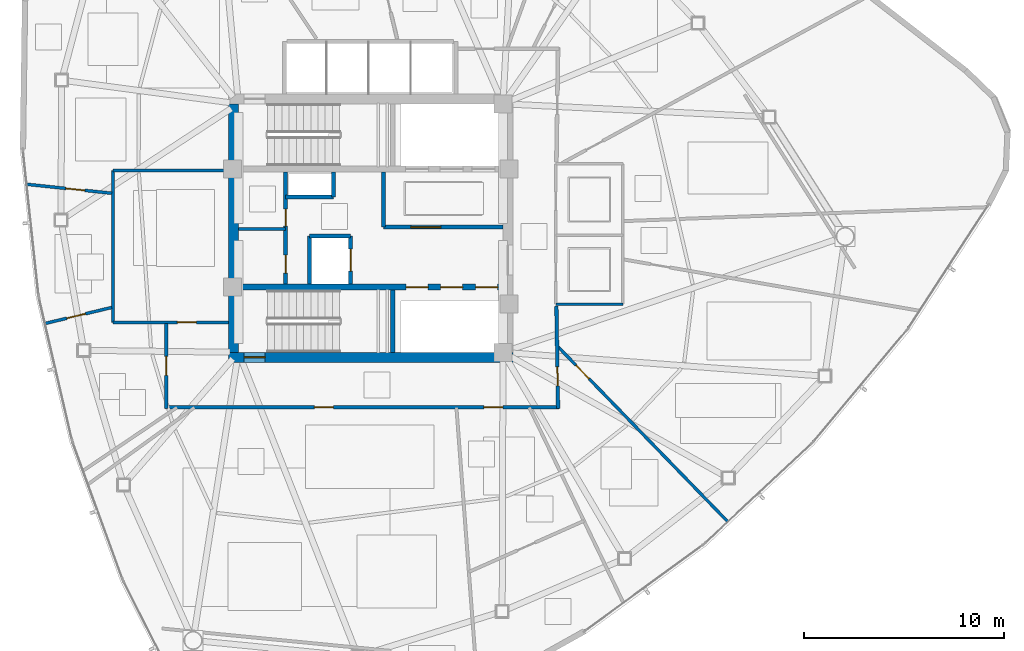
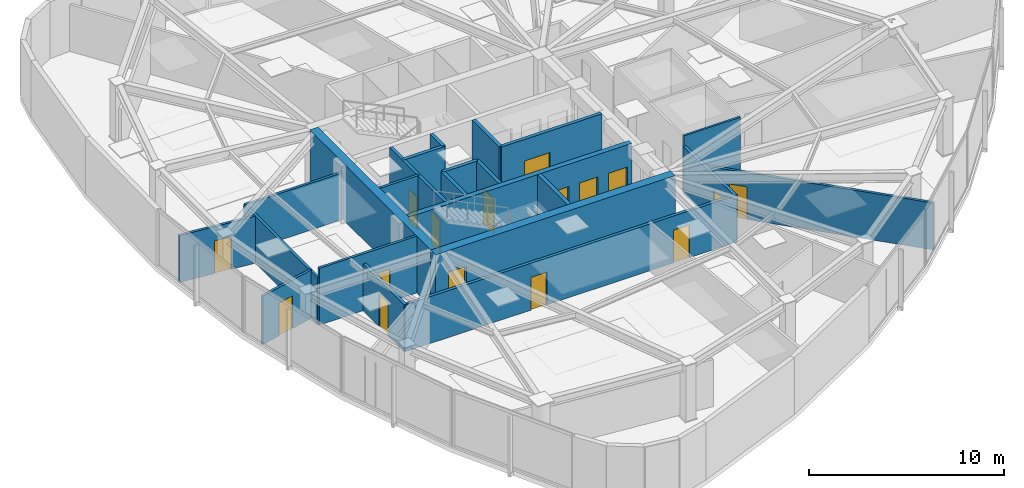
# One storey, part 11 of 17: 23 walls, 16 doors, 16 openings.
"""IFC4 building model written with IfcOpenShell, lengths in metres."""

import ifcopenshell
import ifcopenshell.guid

model = None  # the IFC model being written
_history = None  # IfcOwnerHistory: only IFC2X3 demands one
_inside = {}  # id of a spatial element -> (the spatial element, [elements in it])
_under = {}  # id of a project, library or spatial element -> (it, [spatial elements below it])
_declared = {}  # id of a project -> (the project, [libraries it declares])
_typed = {}  # id of a type object -> (the type object, [elements of that type])
_made_of = {}  # id of a material, layer set ... -> (it, [elements and type objects made of it])


def new_model(schema):
    """Start an empty IFC model of exactly this schema.

    Asked for "IFC4X3", IfcOpenShell would pick the latest addendum, in which some entities
    have other attributes; the version numbers below select the first issue.
    IFC2X3 requires an IfcOwnerHistory on every rooted entity: one is made here for all.
    """
    global model, _history
    if schema == "IFC4X3":
        model = ifcopenshell.file(schema_version=(4, 3, 0, 0))
    else:
        model = ifcopenshell.file(schema=schema)
    _inside.clear()
    _under.clear()
    _declared.clear()
    _typed.clear()
    _made_of.clear()
    _history = None
    if model.schema == "IFC2X3":
        org = make("IfcOrganization", Name="unknown")
        user = make(
            "IfcPersonAndOrganization",
            ThePerson=make("IfcPerson", FamilyName="unknown"),
            TheOrganization=org,
        )
        app = make(
            "IfcApplication",
            ApplicationDeveloper=org,
            Version="unknown",
            ApplicationFullName="unknown",
            ApplicationIdentifier="unknown",
        )
        _history = make(
            "IfcOwnerHistory",
            OwningUser=user,
            OwningApplication=app,
            ChangeAction="ADDED",
            CreationDate=0,
        )
    return model


def make(cls, **values):
    """One entity of the class cls with the attributes given. An attribute that is None is left unset."""
    return model.create_entity(
        cls, **{name: value for name, value in values.items() if value is not None}
    )


def rooted(cls, **values):
    """An entity with a GlobalId (a new one), such as an element, a storey or a relation."""
    return make(cls, GlobalId=ifcopenshell.guid.new(), OwnerHistory=_history, **values)


def si_unit(unit_type, name, prefix=None):
    """IfcSIUnit, for example si_unit("LENGTHUNIT", "METRE", prefix="MILLI")."""
    return make("IfcSIUnit", UnitType=unit_type, Prefix=prefix, Name=name)


def assignment(units):
    """IfcUnitAssignment: the units of a project."""
    return None if units is None else make("IfcUnitAssignment", Units=units)


def point(xyz):
    """IfcCartesianPoint."""
    return None if xyz is None else make("IfcCartesianPoint", Coordinates=xyz)


def direction(xyz):
    """IfcDirection."""
    return None if xyz is None else make("IfcDirection", DirectionRatios=xyz)


def frame(location, z_axis=None, x_axis=None):
    """IfcAxis2Placement3D, a coordinate frame: its origin and axes. An axis left out is left unset."""
    return make(
        "IfcAxis2Placement3D",
        Location=point(location),
        Axis=direction(z_axis),
        RefDirection=direction(x_axis),
    )


def frame_2d(location, x_axis=None):
    """IfcAxis2Placement2D, a coordinate frame in the plane: its origin and x axis."""
    return make(
        "IfcAxis2Placement2D", Location=point(location), RefDirection=direction(x_axis)
    )


def origin():
    """The frame at (0, 0, 0) with its axes left unset."""
    return frame((0.0, 0.0, 0.0))


def place(relative_to, where):
    """IfcLocalPlacement: puts the frame where relative to a parent placement (None: the world)."""
    return make(
        "IfcLocalPlacement", PlacementRelTo=relative_to, RelativePlacement=where
    )


def context(
    kind, dimensions, precision=None, world=None, true_north=None, identifier=None
):
    """IfcGeometricRepresentationContext, for example the 3D "Model" context."""
    return make(
        "IfcGeometricRepresentationContext",
        ContextIdentifier=identifier,
        ContextType=kind,
        CoordinateSpaceDimension=dimensions,
        Precision=precision,
        WorldCoordinateSystem=world,
        TrueNorth=true_north,
    )


def subcontext(parent, identifier, kind, view, scale=None):
    """IfcGeometricRepresentationSubContext, for example "Body" below "Model"."""
    return make(
        "IfcGeometricRepresentationSubContext",
        ContextIdentifier=identifier,
        ContextType=kind,
        ParentContext=parent,
        TargetScale=scale,
        TargetView=view,
    )


def project(units=None, contexts=None):
    """IfcProject with its units and contexts."""
    return rooted(
        "IfcProject",
        Name="project",
        RepresentationContexts=contexts,
        UnitsInContext=assignment(units),
    )


def spatial(cls, under=None, at=None, **own):
    """A site, building, storey or space (cls), placed at a placement, below another one or the project."""
    s = rooted(cls, ObjectPlacement=at, **own)
    if under is not None:
        _under.setdefault(under.id(), (under, []))[1].append(s)
    return s


def profile(cls, at=None, kind="AREA", **sizes):
    """A parametric profile (cls). Its sizes go by their IFC names, for example OverallWidth=200.0."""
    return make(cls, ProfileType=kind, Position=at, **sizes)


def rectangle(**sizes):
    """IfcRectangleProfileDef."""
    return profile("IfcRectangleProfileDef", **sizes)


def extrude(swept, where, along, depth):
    """IfcExtrudedAreaSolid: the profile swept, set in the frame where, extruded along a direction by depth."""
    return make(
        "IfcExtrudedAreaSolid",
        SweptArea=swept,
        Position=where,
        ExtrudedDirection=direction(along),
        Depth=depth,
    )


def shape(context_of_items, identifier, shape_type, items):
    """IfcShapeRepresentation: the items that make up one representation, for example the "Body"."""
    return make(
        "IfcShapeRepresentation",
        ContextOfItems=context_of_items,
        RepresentationIdentifier=identifier,
        RepresentationType=shape_type,
        Items=items,
    )


def material(Name=None, Category=None):
    """IfcMaterial."""
    return make("IfcMaterial", Name=Name, Category=Category)


def layer(
    of_material, thickness, ventilated=None, Name=None, Category=None, Priority=None
):
    """IfcMaterialLayer: one layer of a wall or slab, of a material (None: an air gap)."""
    return make(
        "IfcMaterialLayer",
        Material=of_material,
        LayerThickness=thickness,
        IsVentilated=ventilated,
        Name=Name,
        Category=Category,
        Priority=Priority,
    )


def layer_set(layers, Name=None):
    """IfcMaterialLayerSet."""
    return make("IfcMaterialLayerSet", MaterialLayers=layers, LayerSetName=Name)


def made_of(thing, what):
    """Note that an element or type object is made of a material, layer set ...; save() writes the relation."""
    if what is not None:
        _made_of.setdefault(what.id(), (what, []))[1].append(thing)
    return thing


def type_object(cls, material=None, **own):
    """A type object (cls), such as IfcWallType, which elements share."""
    return made_of(rooted(cls, **own), material)


def element(
    cls,
    number,
    at=None,
    inside=None,
    cuts=None,
    type_object=None,
    material=None,
    context=None,
    identifier="Body",
    shape_type=None,
    held_by="IfcProductDefinitionShape",
    body=None,
    shapes=None,
    **own,
):
    """One element of the class cls, such as IfcWall. Its Tag is "e" and its number.

    at: its placement. inside: the storey or other place that contains it. cuts: it is an
    opening in that element (IfcRelVoidsElement). A single representation is given by context,
    identifier, shape_type and body (its items); several are given by shapes. held_by: the class
    of the entity that holds the representations. save() writes the other relations.
    """
    e = rooted(cls, Tag="e%d" % number, ObjectPlacement=at, **own)
    if body is not None:
        shapes = [shape(context, identifier, shape_type, body)]
    if shapes is not None:
        e.Representation = make(held_by, Representations=shapes)
    if inside is not None:
        _inside.setdefault(inside.id(), (inside, []))[1].append(e)
    if cuts is not None:
        rooted(
            "IfcRelVoidsElement", RelatingBuildingElement=cuts, RelatedOpeningElement=e
        )
    if type_object is not None:
        _typed.setdefault(type_object.id(), (type_object, []))[1].append(e)
    return made_of(e, material)


def fill(opening, filler):
    """IfcRelFillsElement: the door or window that sits in an opening."""
    return rooted(
        "IfcRelFillsElement",
        RelatingOpeningElement=opening,
        RelatedBuildingElement=filler,
    )


def aggregate(whole, parts):
    """IfcRelAggregates: a whole, such as a stair, and the parts it consists of."""
    return rooted("IfcRelAggregates", RelatingObject=whole, RelatedObjects=parts)


def save(model, path):
    """Write the relations noted so far, then the file.

    IfcRelAggregates (storeys below a building ...), IfcRelContainedInSpatialStructure (elements
    in a storey), IfcRelDefinesByType, IfcRelAssociatesMaterial and IfcRelDeclares: one each for
    every whole, place, type object, material and project.
    """
    for whole, parts in _under.values():
        aggregate(whole, parts)
    for where, things in _inside.values():
        rooted(
            "IfcRelContainedInSpatialStructure",
            RelatedElements=things,
            RelatingStructure=where,
        )
    for kind, things in _typed.values():
        rooted("IfcRelDefinesByType", RelatedObjects=things, RelatingType=kind)
    for what, things in _made_of.values():
        rooted("IfcRelAssociatesMaterial", RelatedObjects=things, RelatingMaterial=what)
    for by, libraries in _declared.values():
        rooted("IfcRelDeclares", RelatingContext=by, RelatedDefinitions=libraries)
    model.write(path)


model = new_model("IFC4")

# Units and contexts
model_context = context("Model", 3, precision=1e-05, world=origin(), true_north=direction((0.0, 1.0)))
body_context = subcontext(model_context, "Body", "Model", "MODEL_VIEW")
ifc_project = project(units=[si_unit("LENGTHUNIT", "METRE"), si_unit("AREAUNIT", "SQUARE_METRE"), si_unit("VOLUMEUNIT", "CUBIC_METRE"), si_unit("PLANEANGLEUNIT", "RADIAN"), si_unit("MASSUNIT", "GRAM", prefix="KILO")], contexts=[model_context])

# Site, building, storey
site_placement = place(None, origin())
site = spatial("IfcSite", under=ifc_project, at=site_placement, CompositionType="ELEMENT")
building_placement = place(site_placement, origin())
building = spatial("IfcBuilding", under=site, at=building_placement, Name="Tavelor Broadcast Tower", CompositionType="ELEMENT")
storey_placement = place(building_placement, frame((0.0, 0.0, 200.300048828125)))
storey = spatial("IfcBuildingStorey", under=building, at=storey_placement, Name="L48", CompositionType="ELEMENT", Elevation=200.300048828125)

# Wall, opening, door
ifc_material_1 = material(Name="Concrete C50/60", Category="concrete")
ifc_layer_1 = layer(ifc_material_1, 0.5)
ifc_layer_set_1 = layer_set([ifc_layer_1], Name="Concrete C50/60")
wall_type_1 = type_object("IfcWallType", Name="Core Shear Wall 500 mm", PredefinedType="SHEAR", material=ifc_layer_set_1)
wall_1_placement = place(storey_placement, frame((42.89990234375, 38.550048828125, 0.0), z_axis=(0.0, 0.0, 1.0), x_axis=(1.0, 0.0, 0.0)))
wall_1 = element("IfcWall", 1, at=wall_1_placement, inside=storey, type_object=wall_type_1, Name="L48 Central Core Shear Wall S", PredefinedType="SHEAR", context=body_context, shape_type="SweptSolid", body=[
    extrude(rectangle(XDim=14.2001953125, YDim=0.5, at=frame_2d((7.10009765625, 0.0))), origin(), (0.0, 0.0, 1.0), 3.550048828125),
])
opening_1_placement = place(wall_1_placement, frame((0.780029296875, 0.0, 0.0)))
opening_1 = element("IfcOpeningElement", 2, at=opening_1_placement, cuts=wall_1, Name="Opening DR11", PredefinedType="OPENING", context=body_context, shape_type="SweptSolid", body=[
    extrude(rectangle(XDim=1.050048828125, YDim=2.199951171875, at=frame_2d((0.52490234375, 1.10009765625))), frame((0.0, 0.260009765625, 0.0), z_axis=(0.0, -1.0, 0.0), x_axis=(1.0, 0.0, 0.0)), (0.0, 0.0, 1.0), 0.52001953125),
])
ifc_material_2 = material(Name="Steel S355", Category="steel")
door_type_1 = type_object("IfcDoorType", Name="Stair Core Fire Escape Door 1050x2200", OperationType="NOTDEFINED", PredefinedType="DOOR", material=ifc_material_2)
door_1_placement = place(opening_1_placement, origin())
door_1 = element("IfcDoor", 3, at=door_1_placement, inside=storey, type_object=door_type_1, Name="L48 Stair ST2 Protected Exit Door", OperationType="SINGLE_SWING_RIGHT", OverallHeight=2.199951171875, OverallWidth=1.050048828125, PredefinedType="DOOR", context=body_context, shape_type="SweptSolid", body=[
    extrude(rectangle(XDim=1.050048828125, YDim=2.199951171875, at=frame_2d((0.52490234375, 1.10009765625))), frame((0.0, 0.02490234375, 0.0), z_axis=(0.0, -1.0, 0.0), x_axis=(1.0, 0.0, 0.0)), (0.0, 0.0, 1.0), 0.050048828125),
])
fill(opening_1, door_1)

# Wall
wall_2_placement = place(storey_placement, frame((43.14990234375, 38.800048828125, 0.0), z_axis=(0.0, 0.0, 1.0), x_axis=(0.0, 1.0, 0.0)))
element("IfcWall", 4, at=wall_2_placement, inside=storey, type_object=wall_type_1, Name="L48 Central Core Shear Wall W", PredefinedType="SHEAR", context=body_context, shape_type="SweptSolid", body=[
    extrude(rectangle(XDim=12.39990234375, YDim=0.5, at=frame_2d((6.199951171875, 0.0))), origin(), (0.0, 0.0, 1.0), 3.550048828125),
])

# Wall, openings, doors
ifc_layer_2 = layer(ifc_material_1, 0.300048828125)
ifc_layer_set_2 = layer_set([ifc_layer_2], Name="Concrete C50/60")
wall_type_2 = type_object("IfcWallType", Name="Core Spine Shear Wall 300 mm C50", PredefinedType="SHEAR", material=ifc_layer_set_2)
wall_3_placement = place(storey_placement, frame((43.39990234375, 42.050048828125, 0.0), z_axis=(0.0, 0.0, 1.0), x_axis=(1.0, 0.0, 0.0)))
wall_3 = element("IfcWall", 5, at=wall_3_placement, inside=storey, type_object=wall_type_2, Name="L48 Central Core Shear Wall SP2", PredefinedType="SHEAR", context=body_context, shape_type="SweptSolid", body=[
    extrude(rectangle(XDim=13.2001953125, YDim=0.300048828125, at=frame_2d((6.60009765625, 0.0))), origin(), (0.0, 0.0, 1.0), 3.550048828125),
])
opening_2_placement = place(wall_3_placement, frame((8.3701171875, 0.0, 0.0)))
opening_2 = element("IfcOpeningElement", 6, at=opening_2_placement, cuts=wall_3, Name="Opening LD01", PredefinedType="OPENING", context=body_context, shape_type="SweptSolid", body=[
    extrude(rectangle(XDim=1.10009765625, YDim=2.14990234375, at=frame_2d((0.550048828125, 1.074951171875))), frame((0.0, 0.16015625, 0.0), z_axis=(0.0, -1.0, 0.0), x_axis=(1.0, 0.0, 0.0)), (0.0, 0.0, 1.0), 0.320068359375),
])
opening_3_placement = place(wall_3_placement, frame((10.090087890625, 0.0, 0.0)))
opening_3 = element("IfcOpeningElement", 7, at=opening_3_placement, cuts=wall_3, Name="Opening LD01", PredefinedType="OPENING", context=body_context, shape_type="SweptSolid", body=[
    extrude(rectangle(XDim=1.10009765625, YDim=2.14990234375, at=frame_2d((0.550048828125, 1.074951171875))), frame((0.0, 0.16015625, 0.0), z_axis=(0.0, -1.0, 0.0), x_axis=(1.0, 0.0, 0.0)), (0.0, 0.0, 1.0), 0.320068359375),
])
opening_4_placement = place(wall_3_placement, frame((11.830078125, 0.0, 0.0)))
opening_4 = element("IfcOpeningElement", 8, at=opening_4_placement, cuts=wall_3, Name="Opening LD01", PredefinedType="OPENING", context=body_context, shape_type="SweptSolid", body=[
    extrude(rectangle(XDim=1.10009765625, YDim=2.14990234375, at=frame_2d((0.550048828125, 1.074951171875))), frame((0.0, 0.16015625, 0.0), z_axis=(0.0, -1.0, 0.0), x_axis=(1.0, 0.0, 0.0)), (0.0, 0.0, 1.0), 0.320068359375),
])
ifc_material_3 = material(Name="Brushed Stainless Steel", Category="steel")
door_type_2 = type_object("IfcDoorType", Name="Passenger Lift Sliding Landing Door 1100x2150", OperationType="NOTDEFINED", PredefinedType="DOOR", material=ifc_material_3)
door_2_placement = place(opening_2_placement, origin())
door_2 = element("IfcDoor", 9, at=door_2_placement, inside=storey, type_object=door_type_2, Name="L48 Lift PLM1 Sliding Landing Door", OperationType="SLIDING_TO_LEFT", OverallHeight=2.14990234375, OverallWidth=1.10009765625, PredefinedType="DOOR", context=body_context, shape_type="SweptSolid", body=[
    extrude(rectangle(XDim=1.10009765625, YDim=2.14990234375, at=frame_2d((0.550048828125, 1.074951171875))), frame((0.0, 0.02490234375, 0.0), z_axis=(0.0, -1.0, 0.0), x_axis=(1.0, 0.0, 0.0)), (0.0, 0.0, 1.0), 0.050048828125),
])
fill(opening_2, door_2)
door_3_placement = place(opening_3_placement, origin())
door_3 = element("IfcDoor", 10, at=door_3_placement, inside=storey, type_object=door_type_2, Name="L48 Lift PLM2 Sliding Landing Door", OperationType="SLIDING_TO_LEFT", OverallHeight=2.14990234375, OverallWidth=1.10009765625, PredefinedType="DOOR", context=body_context, shape_type="SweptSolid", body=[
    extrude(rectangle(XDim=1.10009765625, YDim=2.14990234375, at=frame_2d((0.550048828125, 1.074951171875))), frame((0.0, 0.02490234375, 0.0), z_axis=(0.0, -1.0, 0.0), x_axis=(1.0, 0.0, 0.0)), (0.0, 0.0, 1.0), 0.050048828125),
])
fill(opening_3, door_3)
door_4_placement = place(opening_4_placement, origin())
door_4 = element("IfcDoor", 11, at=door_4_placement, inside=storey, type_object=door_type_2, Name="L48 Lift PLM3 Sliding Landing Door", OperationType="SLIDING_TO_LEFT", OverallHeight=2.14990234375, OverallWidth=1.10009765625, PredefinedType="DOOR", context=body_context, shape_type="SweptSolid", body=[
    extrude(rectangle(XDim=1.10009765625, YDim=2.14990234375, at=frame_2d((0.550048828125, 1.074951171875))), frame((0.0, 0.02490234375, 0.0), z_axis=(0.0, -1.0, 0.0), x_axis=(1.0, 0.0, 0.0)), (0.0, 0.0, 1.0), 0.050048828125),
])
fill(opening_4, door_4)

ifc_material_4 = material(Name="Calcium Silicate Fire Board 180 mm", Category="gypsum")
ifc_layer_3 = layer(ifc_material_4, 0.179931640625)
ifc_layer_set_3 = layer_set([ifc_layer_3], Name="Calcium Silicate Fire Board 180 mm")
wall_type_3 = type_object("IfcWallType", Name="Fire-Rated Corridor Partition Wall 180 mm", PredefinedType="PARTITIONING", material=ifc_layer_set_3)
wall_4_placement = place(storey_placement, frame((45.75, 42.199951171875, 0.0), z_axis=(0.0, 0.0, 1.0), x_axis=(0.0, 1.0, 0.0)))
wall_4 = element("IfcWall", 12, at=wall_4_placement, inside=storey, type_object=wall_type_3, Name="L48 Core West Service East Wall", PredefinedType="PARTITIONING", context=body_context, shape_type="SweptSolid", body=[
    extrude(rectangle(XDim=5.60009765625, YDim=0.179931640625, at=frame_2d((2.800048828125, 0.0))), origin(), (0.0, 0.0, 1.0), 3.550048828125),
])
opening_5_placement = place(wall_4_placement, frame((0.550048828125, 0.0, 0.0)))
opening_5 = element("IfcOpeningElement", 13, at=opening_5_placement, cuts=wall_4, Name="Opening DR32", PredefinedType="OPENING", context=body_context, shape_type="SweptSolid", body=[
    extrude(rectangle(XDim=0.89990234375, YDim=2.050048828125, at=frame_2d((0.449951171875, 1.02490234375))), frame((0.0, 0.10009765625, 0.0), z_axis=(0.0, -1.0, 0.0), x_axis=(1.0, 0.0, 0.0)), (0.0, 0.0, 1.0), 0.199951171875),
])
opening_6_placement = place(wall_4_placement, frame((2.89990234375, 0.0, 0.0)))
opening_6 = element("IfcOpeningElement", 14, at=opening_6_placement, cuts=wall_4, Name="Opening DR36", PredefinedType="OPENING", context=body_context, shape_type="SweptSolid", body=[
    extrude(rectangle(XDim=0.85009765625, YDim=2.050048828125, at=frame_2d((0.425048828125, 1.02490234375))), frame((0.0, 0.10009765625, 0.0), z_axis=(0.0, -1.0, 0.0), x_axis=(1.0, 0.0, 0.0)), (0.0, 0.0, 1.0), 0.199951171875),
])
ifc_material_5 = material(Name="Timber Solid Core Hardwood", Category="wood")
door_type_3 = type_object("IfcDoorType", Name="Accessible Washroom Door 900x2050", OperationType="NOTDEFINED", PredefinedType="DOOR", material=ifc_material_5)
door_5_placement = place(opening_5_placement, origin())
door_5 = element("IfcDoor", 15, at=door_5_placement, inside=storey, type_object=door_type_3, Name="L48 Core Accessible WC Door", OperationType="SINGLE_SWING_LEFT", OverallHeight=2.050048828125, OverallWidth=0.89990234375, PredefinedType="DOOR", context=body_context, shape_type="SweptSolid", body=[
    extrude(rectangle(XDim=0.89990234375, YDim=2.050048828125, at=frame_2d((0.449951171875, 1.02490234375))), frame((0.0, 0.02490234375, 0.0), z_axis=(0.0, -1.0, 0.0), x_axis=(1.0, 0.0, 0.0)), (0.0, 0.0, 1.0), 0.050048828125),
])
fill(opening_5, door_5)
door_type_4 = type_object("IfcDoorType", Name="Service Room Fire Door 850x2050", OperationType="NOTDEFINED", PredefinedType="DOOR", material=ifc_material_2)
door_6_placement = place(opening_6_placement, origin())
door_6 = element("IfcDoor", 16, at=door_6_placement, inside=storey, type_object=door_type_4, Name="L48 Core Cleaner Store Door", OperationType="SINGLE_SWING_RIGHT", OverallHeight=2.050048828125, OverallWidth=0.85009765625, PredefinedType="DOOR", context=body_context, shape_type="SweptSolid", body=[
    extrude(rectangle(XDim=0.85009765625, YDim=2.050048828125, at=frame_2d((0.425048828125, 1.02490234375))), frame((0.0, 0.02490234375, 0.0), z_axis=(0.0, -1.0, 0.0), x_axis=(1.0, 0.0, 0.0)), (0.0, 0.0, 1.0), 0.050048828125),
])
fill(opening_6, door_6)

# Wall, opening, door
wall_5_placement = place(storey_placement, frame((59.265869140625, 41.10009765625, 0.0), z_axis=(0.0, 0.0, 1.0), x_axis=(0.016656377357, -0.999861272924, 0.0)))
wall_5 = element("IfcWall", 17, at=wall_5_placement, inside=storey, type_object=wall_type_3, Name="L48 Corridor Compartment Wall 03", PredefinedType="PARTITIONING", context=body_context, shape_type="SweptSolid", body=[
    extrude(rectangle(XDim=5.100830078125, YDim=0.179931640625, at=frame_2d((2.55029296875, 0.0))), origin(), (0.0, 0.0, 1.0), 2.93505859375),
])
opening_7_placement = place(wall_5_placement, frame((3.021484375, 0.0, 0.0)))
opening_7 = element("IfcOpeningElement", 18, at=opening_7_placement, cuts=wall_5, Name="Opening DR18", PredefinedType="OPENING", context=body_context, shape_type="SweptSolid", body=[
    extrude(rectangle(XDim=0.949951171875, YDim=2.050048828125, at=frame_2d((0.47509765625, 1.02490234375))), frame((0.0, 0.10009765625, 0.0), z_axis=(0.0, -1.0, 0.0), x_axis=(1.0, 0.0, 0.0)), (0.0, 0.0, 1.0), 0.199951171875),
])
door_type_5 = type_object("IfcDoorType", Name="Corridor Rated Compartment Door 950x2050", OperationType="NOTDEFINED", PredefinedType="DOOR", material=ifc_material_5)
door_7_placement = place(opening_7_placement, origin())
door_7 = element("IfcDoor", 19, at=door_7_placement, inside=storey, type_object=door_type_5, Name="L48 Media Content Workshop Door R2", OperationType="SINGLE_SWING_RIGHT", OverallHeight=2.050048828125, OverallWidth=0.949951171875, PredefinedType="DOOR", context=body_context, shape_type="SweptSolid", body=[
    extrude(rectangle(XDim=0.949951171875, YDim=2.050048828125, at=frame_2d((0.47509765625, 1.02490234375))), frame((0.0, 0.02490234375, 0.0), z_axis=(0.0, -1.0, 0.0), x_axis=(1.0, 0.0, 0.0)), (0.0, 0.0, 1.0), 0.050048828125),
])
fill(opening_7, door_7)

# Wall, openings, doors
wall_6_placement = place(storey_placement, frame((59.39990234375, 36.050048828125, 0.0), z_axis=(0.0, 0.0, 1.0), x_axis=(-1.0, 0.0, 0.0)))
wall_6 = element("IfcWall", 20, at=wall_6_placement, inside=storey, type_object=wall_type_3, Name="L48 Corridor Compartment Wall 04", PredefinedType="PARTITIONING", context=body_context, shape_type="SweptSolid", body=[
    extrude(rectangle(XDim=19.64990234375, YDim=0.179931640625, at=frame_2d((9.824951171875, 0.0))), origin(), (0.0, 0.0, 1.0), 2.93505859375),
])
opening_8_placement = place(wall_6_placement, frame((2.805419921875, 0.0, 0.0)))
opening_8 = element("IfcOpeningElement", 21, at=opening_8_placement, cuts=wall_6, Name="Opening DR18", PredefinedType="OPENING", context=body_context, shape_type="SweptSolid", body=[
    extrude(rectangle(XDim=0.949951171875, YDim=2.050048828125, at=frame_2d((0.47509765625, 1.02490234375))), frame((0.0, 0.10009765625, 0.0), z_axis=(0.0, -1.0, 0.0), x_axis=(1.0, 0.0, 0.0)), (0.0, 0.0, 1.0), 0.199951171875),
])
opening_9_placement = place(wall_6_placement, frame((11.26123046875, 0.0, 0.0)))
opening_9 = element("IfcOpeningElement", 22, at=opening_9_placement, cuts=wall_6, Name="Opening DR18", PredefinedType="OPENING", context=body_context, shape_type="SweptSolid", body=[
    extrude(rectangle(XDim=0.949951171875, YDim=2.050048828125, at=frame_2d((0.47509765625, 1.02490234375))), frame((0.0, 0.10009765625, 0.0), z_axis=(0.0, -1.0, 0.0), x_axis=(1.0, 0.0, 0.0)), (0.0, 0.0, 1.0), 0.199951171875),
])
door_8_placement = place(opening_8_placement, origin())
door_8 = element("IfcDoor", 23, at=door_8_placement, inside=storey, type_object=door_type_5, Name="L48 Satellite Control Room Door R13", OperationType="SINGLE_SWING_LEFT", OverallHeight=2.050048828125, OverallWidth=0.949951171875, PredefinedType="DOOR", context=body_context, shape_type="SweptSolid", body=[
    extrude(rectangle(XDim=0.949951171875, YDim=2.050048828125, at=frame_2d((0.47509765625, 1.02490234375))), frame((0.0, 0.02490234375, 0.0), z_axis=(0.0, -1.0, 0.0), x_axis=(1.0, 0.0, 0.0)), (0.0, 0.0, 1.0), 0.050048828125),
])
fill(opening_8, door_8)
door_9_placement = place(opening_9_placement, origin())
door_9 = element("IfcDoor", 24, at=door_9_placement, inside=storey, type_object=door_type_5, Name="L48 Quiet Listening Room Door R4", OperationType="SINGLE_SWING_RIGHT", OverallHeight=2.050048828125, OverallWidth=0.949951171875, PredefinedType="DOOR", context=body_context, shape_type="SweptSolid", body=[
    extrude(rectangle(XDim=0.949951171875, YDim=2.050048828125, at=frame_2d((0.47509765625, 1.02490234375))), frame((0.0, 0.02490234375, 0.0), z_axis=(0.0, -1.0, 0.0), x_axis=(1.0, 0.0, 0.0)), (0.0, 0.0, 1.0), 0.050048828125),
])
fill(opening_9, door_9)

# Wall, opening, door
wall_7_placement = place(storey_placement, frame((39.800048828125, 36.0, 0.0), z_axis=(0.0, 0.0, 1.0), x_axis=(0.0, 1.0, 0.0)))
wall_7 = element("IfcWall", 25, at=wall_7_placement, inside=storey, type_object=wall_type_3, Name="L48 Corridor Compartment Wall 05", PredefinedType="PARTITIONING", context=body_context, shape_type="SweptSolid", body=[
    extrude(rectangle(XDim=4.25, YDim=0.179931640625, at=frame_2d((2.125, 0.0))), origin(), (0.0, 0.0, 1.0), 2.93505859375),
])
opening_10_placement = place(wall_7_placement, frame((1.64990234375, 0.0, 0.0)))
opening_10 = element("IfcOpeningElement", 26, at=opening_10_placement, cuts=wall_7, Name="Opening DR18", PredefinedType="OPENING", context=body_context, shape_type="SweptSolid", body=[
    extrude(rectangle(XDim=0.949951171875, YDim=2.050048828125, at=frame_2d((0.47509765625, 1.02490234375))), frame((0.0, 0.10009765625, 0.0), z_axis=(0.0, -1.0, 0.0), x_axis=(1.0, 0.0, 0.0)), (0.0, 0.0, 1.0), 0.199951171875),
])
door_10_placement = place(opening_10_placement, origin())
door_10 = element("IfcDoor", 27, at=door_10_placement, inside=storey, type_object=door_type_5, Name="L48 Broadcast Craft Workshop Door R5", OperationType="SINGLE_SWING_LEFT", OverallHeight=2.050048828125, OverallWidth=0.949951171875, PredefinedType="DOOR", context=body_context, shape_type="SweptSolid", body=[
    extrude(rectangle(XDim=0.949951171875, YDim=2.050048828125, at=frame_2d((0.47509765625, 1.02490234375))), frame((0.0, 0.02490234375, 0.0), z_axis=(0.0, -1.0, 0.0), x_axis=(1.0, 0.0, 0.0)), (0.0, 0.0, 1.0), 0.050048828125),
])
fill(opening_10, door_10)

# Wall
ifc_material_6 = material(Name="Gypsum Acoustic Plasterboard 150 mm", Category="gypsum")
ifc_layer_4 = layer(ifc_material_6, 0.14990234375)
ifc_layer_set_4 = layer_set([ifc_layer_4], Name="Gypsum Acoustic Plasterboard 150 mm")
wall_type_4 = type_object("IfcWallType", Name="Interior Acoustic Partition Wall 150 mm", PredefinedType="PARTITIONING", material=ifc_layer_set_4)
wall_8_placement = place(storey_placement, frame((43.39990234375, 44.949951171875, 0.0), z_axis=(0.0, 0.0, 1.0), x_axis=(1.0, 0.0, 0.0)))
element("IfcWall", 28, at=wall_8_placement, inside=storey, type_object=wall_type_4, Name="L48 Core Split Wall A", PredefinedType="PARTITIONING", context=body_context, shape_type="SweptSolid", body=[
    extrude(rectangle(XDim=2.35009765625, YDim=0.14990234375, at=frame_2d((1.175048828125, 0.0))), origin(), (0.0, 0.0, 1.0), 3.550048828125),
])

# Wall, opening, door
wall_9_placement = place(storey_placement, frame((37.139892578125, 40.300048828125, 0.0), z_axis=(0.0, 0.0, 1.0), x_axis=(1.0, 0.0, 0.0)))
wall_9 = element("IfcWall", 29, at=wall_9_placement, inside=storey, type_object=wall_type_4, Name="L48 Reclaimed Shaft Pantry South Wall", PredefinedType="PARTITIONING", context=body_context, shape_type="SweptSolid", body=[
    extrude(rectangle(XDim=5.760009765625, YDim=0.14990234375, at=frame_2d((2.8798828125, 0.0))), origin(), (0.0, 0.0, 1.0), 3.550048828125),
])
opening_11_placement = place(wall_9_placement, frame((3.2099609375, 0.0, 0.0)))
opening_11 = element("IfcOpeningElement", 30, at=opening_11_placement, cuts=wall_9, Name="Opening DR18", PredefinedType="OPENING", context=body_context, shape_type="SweptSolid", body=[
    extrude(rectangle(XDim=0.949951171875, YDim=2.050048828125, at=frame_2d((0.47509765625, 1.02490234375))), frame((0.0, 0.0849609375, 0.0), z_axis=(0.0, -1.0, 0.0), x_axis=(1.0, 0.0, 0.0)), (0.0, 0.0, 1.0), 0.169921875),
])
door_11_placement = place(opening_11_placement, origin())
door_11 = element("IfcDoor", 31, at=door_11_placement, inside=storey, type_object=door_type_5, Name="L48 Broadcast IT Patch and Pantry Door", OperationType="SINGLE_SWING_LEFT", OverallHeight=2.050048828125, OverallWidth=0.949951171875, PredefinedType="DOOR", context=body_context, shape_type="SweptSolid", body=[
    extrude(rectangle(XDim=0.949951171875, YDim=2.050048828125, at=frame_2d((0.47509765625, 1.02490234375))), frame((0.0, 0.02490234375, 0.0), z_axis=(0.0, -1.0, 0.0), x_axis=(1.0, 0.0, 0.0)), (0.0, 0.0, 1.0), 0.050048828125),
])
fill(opening_11, door_11)

# Walls
wall_10_placement = place(storey_placement, frame((37.139892578125, 40.300048828125, 0.0), z_axis=(0.0, 0.0, 1.0), x_axis=(0.0, 1.0, 0.0)))
element("IfcWall", 32, at=wall_10_placement, inside=storey, type_object=wall_type_4, Name="L48 Reclaimed Shaft Pantry West Wall", PredefinedType="PARTITIONING", context=body_context, shape_type="SweptSolid", body=[
    extrude(rectangle(XDim=7.579833984375, YDim=0.14990234375, at=frame_2d((3.7900390625, 0.0))), origin(), (0.0, 0.0, 1.0), 2.93505859375),
])
wall_11_placement = place(storey_placement, frame((37.139892578125, 47.8798828125, 0.0), z_axis=(0.0, 0.0, 1.0), x_axis=(1.0, 0.0, 0.0)))
element("IfcWall", 33, at=wall_11_placement, inside=storey, type_object=wall_type_4, Name="L48 Reclaimed Shaft Pantry North Wall", PredefinedType="PARTITIONING", context=body_context, shape_type="SweptSolid", body=[
    extrude(rectangle(XDim=5.760009765625, YDim=0.14990234375, at=frame_2d((2.8798828125, 0.0))), origin(), (0.0, 0.0, 1.0), 2.93505859375),
])

# Wall, opening, door
wall_12_placement = place(storey_placement, frame((59.298583984375, 39.128173828125, 0.0), z_axis=(0.0, 0.0, 1.0), x_axis=(0.696454852061, -0.717600612486, 0.0)))
wall_12 = element("IfcWall", 34, at=wall_12_placement, inside=storey, type_object=wall_type_4, Name="L48 Radial Compartment Wall 05", PredefinedType="PARTITIONING", context=body_context, shape_type="SweptSolid", body=[
    extrude(rectangle(XDim=12.25, YDim=0.14990234375, at=frame_2d((6.125, 0.0))), origin(), (0.0, 0.0, 1.0), 2.93505859375),
])
opening_12_placement = place(wall_12_placement, frame((1.35009765625, 0.0, 0.0)))
opening_12 = element("IfcOpeningElement", 35, at=opening_12_placement, cuts=wall_12, Name="Opening DR18", PredefinedType="OPENING", context=body_context, shape_type="SweptSolid", body=[
    extrude(rectangle(XDim=0.949951171875, YDim=2.050048828125, at=frame_2d((0.47509765625, 1.02490234375))), frame((0.0, 0.0849609375, 0.0), z_axis=(0.0, -1.0, 0.0), x_axis=(1.0, 0.0, 0.0)), (0.0, 0.0, 1.0), 0.169921875),
])
door_12_placement = place(opening_12_placement, origin())
door_12 = element("IfcDoor", 36, at=door_12_placement, inside=storey, type_object=door_type_5, Name="L48 Suite Connecting Door 1", OperationType="SINGLE_SWING_RIGHT", OverallHeight=2.050048828125, OverallWidth=0.949951171875, PredefinedType="DOOR", context=body_context, shape_type="SweptSolid", body=[
    extrude(rectangle(XDim=0.949951171875, YDim=2.050048828125, at=frame_2d((0.47509765625, 1.02490234375))), frame((0.0, 0.02490234375, 0.0), z_axis=(0.0, -1.0, 0.0), x_axis=(1.0, 0.0, 0.0)), (0.0, 0.0, 1.0), 0.050048828125),
])
fill(opening_12, door_12)

wall_13_placement = place(storey_placement, frame((37.080078125, 46.73779296875, 0.0), z_axis=(0.0, 0.0, 1.0), x_axis=(-0.994511696143, 0.104625456917, 0.0)))
wall_13 = element("IfcWall", 37, at=wall_13_placement, inside=storey, type_object=wall_type_4, Name="L48 Radial Compartment Wall 13", PredefinedType="PARTITIONING", context=body_context, shape_type="SweptSolid", body=[
    extrude(rectangle(XDim=4.2841796875, YDim=0.14990234375, at=frame_2d((2.14208984375, 0.0))), origin(), (0.0, 0.0, 1.0), 2.93505859375),
])
opening_13_placement = place(wall_13_placement, frame((1.35009765625, 0.0, 0.0)))
opening_13 = element("IfcOpeningElement", 38, at=opening_13_placement, cuts=wall_13, Name="Opening DR18", PredefinedType="OPENING", context=body_context, shape_type="SweptSolid", body=[
    extrude(rectangle(XDim=0.949951171875, YDim=2.050048828125, at=frame_2d((0.47509765625, 1.02490234375))), frame((0.0, 0.0849609375, 0.0), z_axis=(0.0, -1.0, 0.0), x_axis=(1.0, 0.0, 0.0)), (0.0, 0.0, 1.0), 0.169921875),
])
door_13_placement = place(opening_13_placement, origin())
door_13 = element("IfcDoor", 39, at=door_13_placement, inside=storey, type_object=door_type_5, Name="L48 Suite Connecting Door 7", OperationType="SINGLE_SWING_LEFT", OverallHeight=2.050048828125, OverallWidth=0.949951171875, PredefinedType="DOOR", context=body_context, shape_type="SweptSolid", body=[
    extrude(rectangle(XDim=0.949951171875, YDim=2.050048828125, at=frame_2d((0.47509765625, 1.02490234375))), frame((0.0, 0.02490234375, 0.0), z_axis=(0.0, -1.0, 0.0), x_axis=(1.0, 0.0, 0.0)), (0.0, 0.0, 1.0), 0.050048828125),
])
fill(opening_13, door_13)

wall_14_placement = place(storey_placement, frame((37.080078125, 41.037841796875, 0.0), z_axis=(0.0, 0.0, 1.0), x_axis=(-0.972422714039, -0.233225352867, 0.0)))
wall_14 = element("IfcWall", 40, at=wall_14_placement, inside=storey, type_object=wall_type_4, Name="L48 Radial Compartment Wall 14", PredefinedType="PARTITIONING", context=body_context, shape_type="SweptSolid", body=[
    extrude(rectangle(XDim=3.44091796875, YDim=0.14990234375, at=frame_2d((1.720458984375, 0.0))), origin(), (0.0, 0.0, 1.0), 3.02490234375),
])
opening_14_placement = place(wall_14_placement, frame((1.35009765625, 0.0, 0.0)))
opening_14 = element("IfcOpeningElement", 41, at=opening_14_placement, cuts=wall_14, Name="Opening DR18", PredefinedType="OPENING", context=body_context, shape_type="SweptSolid", body=[
    extrude(rectangle(XDim=0.949951171875, YDim=2.050048828125, at=frame_2d((0.47509765625, 1.02490234375))), frame((0.0, 0.0849609375, 0.0), z_axis=(0.0, -1.0, 0.0), x_axis=(1.0, 0.0, 0.0)), (0.0, 0.0, 1.0), 0.169921875),
])
door_14_placement = place(opening_14_placement, origin())
door_14 = element("IfcDoor", 42, at=door_14_placement, inside=storey, type_object=door_type_5, Name="L48 Suite Connecting Door 6", OperationType="SINGLE_SWING_RIGHT", OverallHeight=2.050048828125, OverallWidth=0.949951171875, PredefinedType="DOOR", context=body_context, shape_type="SweptSolid", body=[
    extrude(rectangle(XDim=0.949951171875, YDim=2.050048828125, at=frame_2d((0.47509765625, 1.02490234375))), frame((0.0, 0.02490234375, 0.0), z_axis=(0.0, -1.0, 0.0), x_axis=(1.0, 0.0, 0.0)), (0.0, 0.0, 1.0), 0.050048828125),
])
fill(opening_14, door_14)

ifc_material_7 = material(Name="Concrete Blockwork 200 mm", Category="masonry")
ifc_layer_5 = layer(ifc_material_7, 0.199951171875)
ifc_layer_set_5 = layer_set([ifc_layer_5], Name="Concrete Blockwork 200 mm")
wall_type_5 = type_object("IfcWallType", Name="Lift Hoistway Rated Front Wall 200 mm", PredefinedType="PARTITIONING", material=ifc_layer_set_5)
wall_15_placement = place(storey_placement, frame((49.0, 42.199951171875, 0.0), z_axis=(0.0, 0.0, 1.0), x_axis=(0.0, 1.0, 0.0)))
wall_15 = element("IfcWall", 43, at=wall_15_placement, inside=storey, type_object=wall_type_5, Name="L48 Mid-Rise Lift PLM4 Hoistway Front Wall", PredefinedType="PARTITIONING", context=body_context, shape_type="SweptSolid", body=[
    extrude(rectangle(XDim=2.400146484375, YDim=0.199951171875, at=frame_2d((1.2001953125, 0.0))), origin(), (0.0, 0.0, 1.0), 3.550048828125),
])
opening_15_placement = place(wall_15_placement, frame((0.64990234375, 0.0, 0.0)))
opening_15 = element("IfcOpeningElement", 44, at=opening_15_placement, cuts=wall_15, Name="Opening LD01", PredefinedType="OPENING", context=body_context, shape_type="SweptSolid", body=[
    extrude(rectangle(XDim=1.10009765625, YDim=2.14990234375, at=frame_2d((0.550048828125, 1.074951171875))), frame((0.0, 0.10986328125, 0.0), z_axis=(0.0, -1.0, 0.0), x_axis=(1.0, 0.0, 0.0)), (0.0, 0.0, 1.0), 0.219970703125),
])
door_15_placement = place(opening_15_placement, origin())
door_15 = element("IfcDoor", 45, at=door_15_placement, inside=storey, type_object=door_type_2, Name="L48 Lift PLM4 Sliding Landing Door", OperationType="SLIDING_TO_RIGHT", OverallHeight=2.14990234375, OverallWidth=1.10009765625, PredefinedType="DOOR", context=body_context, shape_type="SweptSolid", body=[
    extrude(rectangle(XDim=1.10009765625, YDim=2.14990234375, at=frame_2d((0.550048828125, 1.074951171875))), frame((0.0, 0.02490234375, 0.0), z_axis=(0.0, -1.0, 0.0), x_axis=(1.0, 0.0, 0.0)), (0.0, 0.0, 1.0), 0.050048828125),
])
fill(opening_15, door_15)

# Walls
ifc_layer_6 = layer(ifc_material_7, 0.199951171875)
ifc_layer_set_6 = layer_set([ifc_layer_6], Name="Concrete Blockwork 200 mm")
wall_type_6 = type_object("IfcWallType", Name="Lift and Riser Shaft Enclosure Wall 200 mm", PredefinedType="PARTITIONING", material=ifc_layer_set_6)
wall_16_placement = place(storey_placement, frame((45.75, 46.550048828125, 0.0), z_axis=(0.0, 0.0, 1.0), x_axis=(1.0, 0.0, 0.0)))
element("IfcWall", 46, at=wall_16_placement, inside=storey, type_object=wall_type_6, Name="L48 Riser Shaft South Wall", PredefinedType="PARTITIONING", context=body_context, shape_type="SweptSolid", body=[
    extrude(rectangle(XDim=2.39990234375, YDim=0.199951171875, at=frame_2d((1.199951171875, 0.0))), origin(), (0.0, 0.0, 1.0), 3.550048828125),
])
wall_17_placement = place(storey_placement, frame((48.14990234375, 46.550048828125, 0.0), z_axis=(0.0, 0.0, 1.0), x_axis=(0.0, 1.0, 0.0)))
element("IfcWall", 47, at=wall_17_placement, inside=storey, type_object=wall_type_6, Name="L48 Riser Shaft East Wall", PredefinedType="PARTITIONING", context=body_context, shape_type="SweptSolid", body=[
    extrude(rectangle(XDim=1.25, YDim=0.199951171875, at=frame_2d((0.625, 0.0))), origin(), (0.0, 0.0, 1.0), 3.550048828125),
])
wall_18_placement = place(storey_placement, frame((46.949951171875, 42.199951171875, 0.0), z_axis=(0.0, 0.0, 1.0), x_axis=(0.0, 1.0, 0.0)))
element("IfcWall", 48, at=wall_18_placement, inside=storey, type_object=wall_type_6, Name="L48 Mid-Rise Lift PLM4 West Wall", PredefinedType="PARTITIONING", context=body_context, shape_type="SweptSolid", body=[
    extrude(rectangle(XDim=2.400146484375, YDim=0.199951171875, at=frame_2d((1.2001953125, 0.0))), origin(), (0.0, 0.0, 1.0), 3.550048828125),
])
wall_19_placement = place(storey_placement, frame((46.949951171875, 44.60009765625, 0.0), z_axis=(0.0, 0.0, 1.0), x_axis=(1.0, 0.0, 0.0)))
element("IfcWall", 49, at=wall_19_placement, inside=storey, type_object=wall_type_6, Name="L48 Mid-Rise Lift PLM4 North Wall", PredefinedType="PARTITIONING", context=body_context, shape_type="SweptSolid", body=[
    extrude(rectangle(XDim=2.050048828125, YDim=0.199951171875, at=frame_2d((1.02490234375, 0.0))), origin(), (0.0, 0.0, 1.0), 3.550048828125),
])

# Wall, opening, door
wall_20_placement = place(storey_placement, frame((50.64990234375, 45.050048828125, 0.0), z_axis=(0.0, 0.0, 1.0), x_axis=(1.0, 0.0, 0.0)))
wall_20 = element("IfcWall", 50, at=wall_20_placement, inside=storey, type_object=wall_type_6, Name="L48 Firefighting Lobby South Wall", PredefinedType="PARTITIONING", context=body_context, shape_type="SweptSolid", body=[
    extrude(rectangle(XDim=5.9501953125, YDim=0.199951171875, at=frame_2d((2.97509765625, 0.0))), origin(), (0.0, 0.0, 1.0), 3.550048828125),
])
opening_16_placement = place(wall_20_placement, frame((1.35009765625, 0.0, 0.0)))
opening_16 = element("IfcOpeningElement", 51, at=opening_16_placement, cuts=wall_20, Name="Opening DR14", PredefinedType="OPENING", context=body_context, shape_type="SweptSolid", body=[
    extrude(rectangle(XDim=1.5, YDim=2.199951171875, at=frame_2d((0.75, 1.10009765625))), frame((0.0, 0.10986328125, 0.0), z_axis=(0.0, -1.0, 0.0), x_axis=(1.0, 0.0, 0.0)), (0.0, 0.0, 1.0), 0.219970703125),
])
door_type_6 = type_object("IfcDoorType", Name="Firefighting Lobby Double Fire Door 1500x2200", OperationType="NOTDEFINED", PredefinedType="DOOR", material=ifc_material_2)
door_16_placement = place(opening_16_placement, origin())
door_16 = element("IfcDoor", 52, at=door_16_placement, inside=storey, type_object=door_type_6, Name="L48 Firefighting Lobby Compartment Door", OperationType="SINGLE_SWING_RIGHT", OverallHeight=2.199951171875, OverallWidth=1.5, PredefinedType="DOOR", context=body_context, shape_type="SweptSolid", body=[
    extrude(rectangle(XDim=1.5, YDim=2.199951171875, at=frame_2d((0.75, 1.10009765625))), frame((0.0, 0.02490234375, 0.0), z_axis=(0.0, -1.0, 0.0), x_axis=(1.0, 0.0, 0.0)), (0.0, 0.0, 1.0), 0.050048828125),
])
fill(opening_16, door_16)

# Walls
wall_21_placement = place(storey_placement, frame((50.64990234375, 45.050048828125, 0.0), z_axis=(0.0, 0.0, 1.0), x_axis=(0.0, 1.0, 0.0)))
element("IfcWall", 53, at=wall_21_placement, inside=storey, type_object=wall_type_6, Name="L48 Firefighting Lobby West Wall", PredefinedType="PARTITIONING", context=body_context, shape_type="SweptSolid", body=[
    extrude(rectangle(XDim=2.75, YDim=0.199951171875, at=frame_2d((1.375, 0.0))), origin(), (0.0, 0.0, 1.0), 3.550048828125),
])
ifc_material_8 = material(Name="Moisture-Resistant Plasterboard 120 mm", Category="gypsum")
ifc_layer_7 = layer(ifc_material_8, 0.1201171875)
ifc_layer_set_7 = layer_set([ifc_layer_7], Name="Moisture-Resistant Plasterboard 120 mm")
wall_type_7 = type_object("IfcWallType", Name="Moisture-Resistant Wet-Room Partition 120 mm", PredefinedType="PARTITIONING", material=ifc_layer_set_7)
wall_22_placement = place(storey_placement, frame((59.239990234375, 41.199951171875, 0.0), z_axis=(0.0, 0.0, 1.0), x_axis=(1.0, 0.0, 0.0)))
element("IfcWall", 54, at=wall_22_placement, inside=storey, type_object=wall_type_7, Name="L48 Floor Washrooms South Wall", PredefinedType="PARTITIONING", context=body_context, shape_type="SweptSolid", body=[
    extrude(rectangle(XDim=3.340087890625, YDim=0.1201171875, at=frame_2d((1.669921875, 0.0))), origin(), (0.0, 0.0, 1.0), 3.550048828125),
])
ifc_material_9 = material(Name="Concrete C40/50", Category="concrete")
ifc_layer_8 = layer(ifc_material_9, 0.219970703125)
ifc_layer_set_8 = layer_set([ifc_layer_8], Name="Concrete C40/50")
wall_type_8 = type_object("IfcWallType", Name="Structural Stairwell Shear Wall 220 mm", PredefinedType="SHEAR", material=ifc_layer_set_8)
wall_23_placement = place(storey_placement, frame((51.110107421875, 38.800048828125, 0.0), z_axis=(0.0, 0.0, 1.0), x_axis=(0.0, 1.0, 0.0)))
element("IfcWall", 55, at=wall_23_placement, inside=storey, type_object=wall_type_8, Name="L48 Stair ST2 Structural Shaft Wall", PredefinedType="SHEAR", context=body_context, shape_type="SweptSolid", body=[
    extrude(rectangle(XDim=3.099853515625, YDim=0.219970703125, at=frame_2d((1.5498046875, 0.0))), origin(), (0.0, 0.0, 1.0), 3.550048828125),
])

save(model, "model.ifc")
